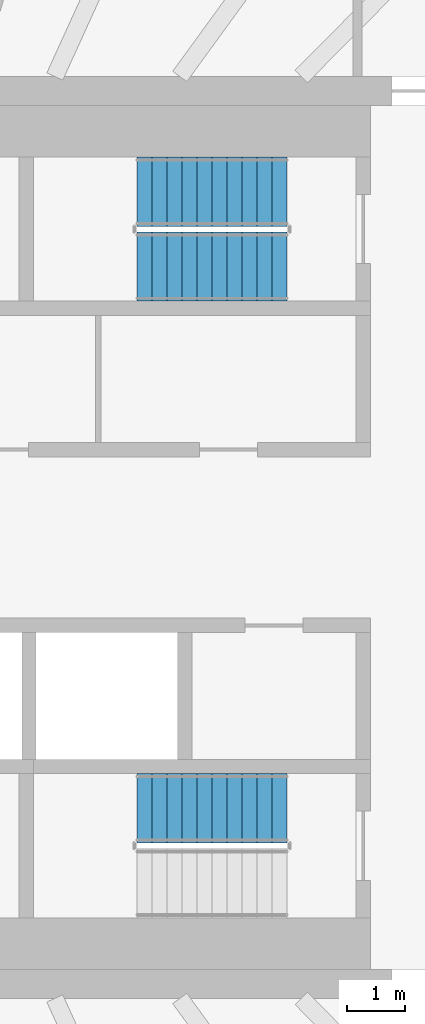
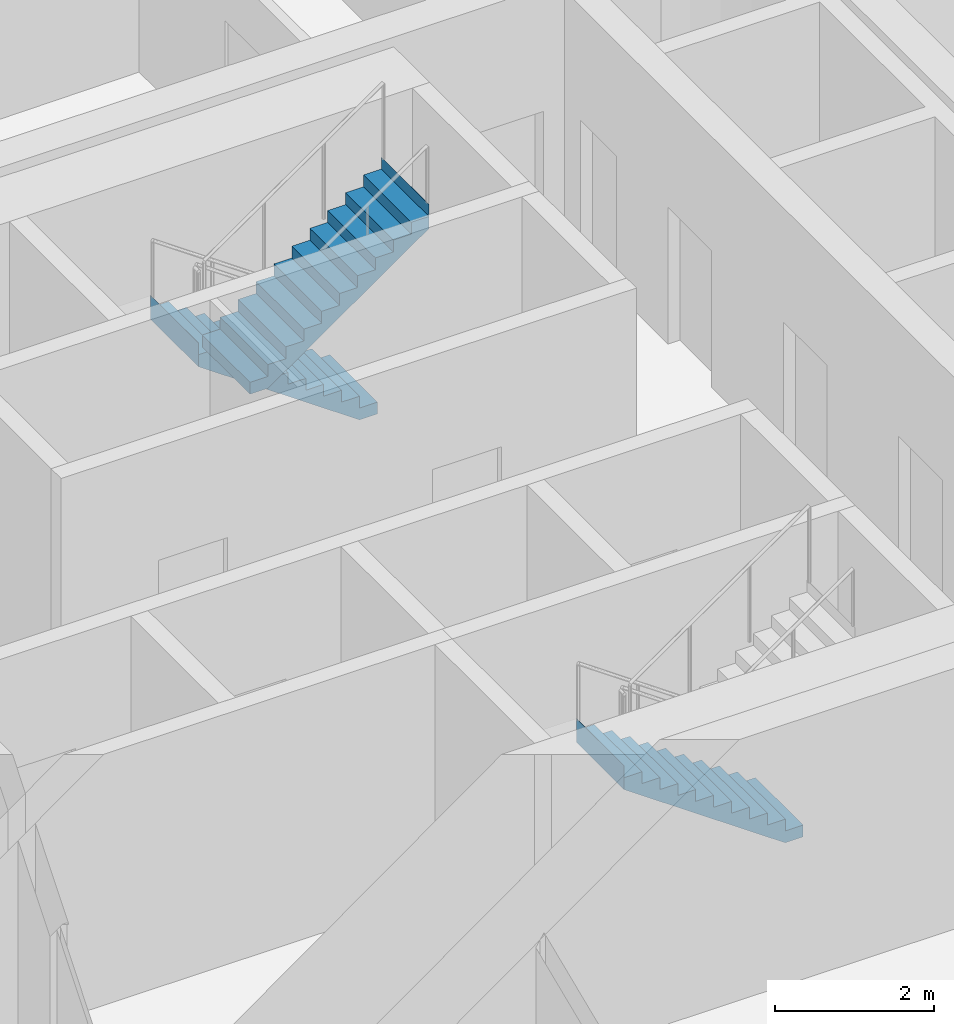
# One storey, part 18 of 25: 3 stair flights, 2 elements without a shape of their own.
"""IFC4 building model written with IfcOpenShell, lengths in metres."""

import ifcopenshell
import ifcopenshell.guid

model = None  # the IFC model being written
_history = None  # IfcOwnerHistory: only IFC2X3 demands one
_inside = {}  # id of a spatial element -> (the spatial element, [elements in it])
_under = {}  # id of a project, library or spatial element -> (it, [spatial elements below it])
_declared = {}  # id of a project -> (the project, [libraries it declares])
_typed = {}  # id of a type object -> (the type object, [elements of that type])
_made_of = {}  # id of a material, layer set ... -> (it, [elements and type objects made of it])


def new_model(schema):
    """Start an empty IFC model of exactly this schema.

    Asked for "IFC4X3", IfcOpenShell would pick the latest addendum, in which some entities
    have other attributes; the version numbers below select the first issue.
    IFC2X3 requires an IfcOwnerHistory on every rooted entity: one is made here for all.
    """
    global model, _history
    if schema == "IFC4X3":
        model = ifcopenshell.file(schema_version=(4, 3, 0, 0))
    else:
        model = ifcopenshell.file(schema=schema)
    _inside.clear()
    _under.clear()
    _declared.clear()
    _typed.clear()
    _made_of.clear()
    _history = None
    if model.schema == "IFC2X3":
        org = make("IfcOrganization", Name="unknown")
        user = make(
            "IfcPersonAndOrganization",
            ThePerson=make("IfcPerson", FamilyName="unknown"),
            TheOrganization=org,
        )
        app = make(
            "IfcApplication",
            ApplicationDeveloper=org,
            Version="unknown",
            ApplicationFullName="unknown",
            ApplicationIdentifier="unknown",
        )
        _history = make(
            "IfcOwnerHistory",
            OwningUser=user,
            OwningApplication=app,
            ChangeAction="ADDED",
            CreationDate=0,
        )
    return model


def make(cls, **values):
    """One entity of the class cls with the attributes given. An attribute that is None is left unset."""
    return model.create_entity(
        cls, **{name: value for name, value in values.items() if value is not None}
    )


def rooted(cls, **values):
    """An entity with a GlobalId (a new one), such as an element, a storey or a relation."""
    return make(cls, GlobalId=ifcopenshell.guid.new(), OwnerHistory=_history, **values)


def si_unit(unit_type, name, prefix=None):
    """IfcSIUnit, for example si_unit("LENGTHUNIT", "METRE", prefix="MILLI")."""
    return make("IfcSIUnit", UnitType=unit_type, Prefix=prefix, Name=name)


def assignment(units):
    """IfcUnitAssignment: the units of a project."""
    return None if units is None else make("IfcUnitAssignment", Units=units)


def point(xyz):
    """IfcCartesianPoint."""
    return None if xyz is None else make("IfcCartesianPoint", Coordinates=xyz)


def direction(xyz):
    """IfcDirection."""
    return None if xyz is None else make("IfcDirection", DirectionRatios=xyz)


def frame(location, z_axis=None, x_axis=None):
    """IfcAxis2Placement3D, a coordinate frame: its origin and axes. An axis left out is left unset."""
    return make(
        "IfcAxis2Placement3D",
        Location=point(location),
        Axis=direction(z_axis),
        RefDirection=direction(x_axis),
    )


def origin():
    """The frame at (0, 0, 0) with its axes left unset."""
    return frame((0.0, 0.0, 0.0))


def place(relative_to, where):
    """IfcLocalPlacement: puts the frame where relative to a parent placement (None: the world)."""
    return make(
        "IfcLocalPlacement", PlacementRelTo=relative_to, RelativePlacement=where
    )


def context(
    kind, dimensions, precision=None, world=None, true_north=None, identifier=None
):
    """IfcGeometricRepresentationContext, for example the 3D "Model" context."""
    return make(
        "IfcGeometricRepresentationContext",
        ContextIdentifier=identifier,
        ContextType=kind,
        CoordinateSpaceDimension=dimensions,
        Precision=precision,
        WorldCoordinateSystem=world,
        TrueNorth=true_north,
    )


def subcontext(parent, identifier, kind, view, scale=None):
    """IfcGeometricRepresentationSubContext, for example "Body" below "Model"."""
    return make(
        "IfcGeometricRepresentationSubContext",
        ContextIdentifier=identifier,
        ContextType=kind,
        ParentContext=parent,
        TargetScale=scale,
        TargetView=view,
    )


def project(units=None, contexts=None):
    """IfcProject with its units and contexts."""
    return rooted(
        "IfcProject",
        Name="project",
        RepresentationContexts=contexts,
        UnitsInContext=assignment(units),
    )


def spatial(cls, under=None, at=None, **own):
    """A site, building, storey or space (cls), placed at a placement, below another one or the project."""
    s = rooted(cls, ObjectPlacement=at, **own)
    if under is not None:
        _under.setdefault(under.id(), (under, []))[1].append(s)
    return s


def point_list(points):
    """IfcCartesianPointList2D or 3D."""
    cls = (
        "IfcCartesianPointList2D" if len(points[0]) == 2 else "IfcCartesianPointList3D"
    )
    return make(cls, CoordList=points)


def triangles(points, corners, closed=None, point_numbers=None):
    """IfcTriangulatedFaceSet: each triangle names its three corners, points numbered from 1."""
    return make(
        "IfcTriangulatedFaceSet",
        Coordinates=point_list(points),
        Closed=closed,
        CoordIndex=corners,
        PnIndex=point_numbers,
    )


def shape(context_of_items, identifier, shape_type, items):
    """IfcShapeRepresentation: the items that make up one representation, for example the "Body"."""
    return make(
        "IfcShapeRepresentation",
        ContextOfItems=context_of_items,
        RepresentationIdentifier=identifier,
        RepresentationType=shape_type,
        Items=items,
    )


def material(Name=None, Category=None):
    """IfcMaterial."""
    return make("IfcMaterial", Name=Name, Category=Category)


def made_of(thing, what):
    """Note that an element or type object is made of a material, layer set ...; save() writes the relation."""
    if what is not None:
        _made_of.setdefault(what.id(), (what, []))[1].append(thing)
    return thing


def type_object(cls, material=None, **own):
    """A type object (cls), such as IfcWallType, which elements share."""
    return made_of(rooted(cls, **own), material)


def element(
    cls,
    number,
    at=None,
    inside=None,
    cuts=None,
    type_object=None,
    material=None,
    context=None,
    identifier="Body",
    shape_type=None,
    held_by="IfcProductDefinitionShape",
    body=None,
    shapes=None,
    **own,
):
    """One element of the class cls, such as IfcWall. Its Tag is "e" and its number.

    at: its placement. inside: the storey or other place that contains it. cuts: it is an
    opening in that element (IfcRelVoidsElement). A single representation is given by context,
    identifier, shape_type and body (its items); several are given by shapes. held_by: the class
    of the entity that holds the representations. save() writes the other relations.
    """
    e = rooted(cls, Tag="e%d" % number, ObjectPlacement=at, **own)
    if body is not None:
        shapes = [shape(context, identifier, shape_type, body)]
    if shapes is not None:
        e.Representation = make(held_by, Representations=shapes)
    if inside is not None:
        _inside.setdefault(inside.id(), (inside, []))[1].append(e)
    if cuts is not None:
        rooted(
            "IfcRelVoidsElement", RelatingBuildingElement=cuts, RelatedOpeningElement=e
        )
    if type_object is not None:
        _typed.setdefault(type_object.id(), (type_object, []))[1].append(e)
    return made_of(e, material)


def aggregate(whole, parts):
    """IfcRelAggregates: a whole, such as a stair, and the parts it consists of."""
    return rooted("IfcRelAggregates", RelatingObject=whole, RelatedObjects=parts)


def save(model, path):
    """Write the relations noted so far, then the file.

    IfcRelAggregates (storeys below a building ...), IfcRelContainedInSpatialStructure (elements
    in a storey), IfcRelDefinesByType, IfcRelAssociatesMaterial and IfcRelDeclares: one each for
    every whole, place, type object, material and project.
    """
    for whole, parts in _under.values():
        aggregate(whole, parts)
    for where, things in _inside.values():
        rooted(
            "IfcRelContainedInSpatialStructure",
            RelatedElements=things,
            RelatingStructure=where,
        )
    for kind, things in _typed.values():
        rooted("IfcRelDefinesByType", RelatedObjects=things, RelatingType=kind)
    for what, things in _made_of.values():
        rooted("IfcRelAssociatesMaterial", RelatedObjects=things, RelatingMaterial=what)
    for by, libraries in _declared.values():
        rooted("IfcRelDeclares", RelatingContext=by, RelatedDefinitions=libraries)
    model.write(path)


model = new_model("IFC4")

# Units and contexts
model_context = context("Model", 3, precision=1e-05, world=origin(), true_north=direction((0.0, 1.0)))
body_context = subcontext(model_context, "Body", "Model", "MODEL_VIEW")
ifc_project = project(units=[si_unit("LENGTHUNIT", "METRE"), si_unit("AREAUNIT", "SQUARE_METRE"), si_unit("VOLUMEUNIT", "CUBIC_METRE"), si_unit("PLANEANGLEUNIT", "RADIAN"), si_unit("MASSUNIT", "GRAM", prefix="KILO")], contexts=[model_context])

# Site, building, storey
site_placement = place(None, origin())
site = spatial("IfcSite", under=ifc_project, at=site_placement, CompositionType="ELEMENT")
building_placement = place(site_placement, origin())
building = spatial("IfcBuilding", under=site, at=building_placement, Name="Sahrelin Media Tower", CompositionType="ELEMENT")
storey_placement = place(building_placement, frame((0.0, 0.0, 181.60009765625)))
storey = spatial("IfcBuildingStorey", under=building, at=storey_placement, Name="L38", CompositionType="ELEMENT", Elevation=181.60009765625)

# Stair, stair flights
ifc_material = material(Name="Concrete C40/50", Category="concrete")
stair_type = type_object("IfcStairType", Name="Exit stair 1200", PredefinedType="HALF_TURN_STAIR", material=ifc_material)
placement = place(storey_placement, origin())
stair_1 = element("IfcStair", 1, at=placement, inside=storey, type_object=stair_type, Name="L38 Exit stair ST3", PredefinedType="HALF_TURN_STAIR")
stair_flight_type = type_object("IfcStairFlightType", Name="Stair flight 1200", PredefinedType="STRAIGHT", material=ifc_material)
stair_flight_1_placement = place(storey_placement, frame((7.675048828125, 6.0, 0.0), z_axis=(0.0, 0.0, 1.0), x_axis=(-1.0, 0.0, 0.0)))
stair_flight_1 = element("IfcStairFlight", 2, at=stair_flight_1_placement, type_object=stair_flight_type, Name="ST3 flight 1", NumberOfRisers=11, NumberOfTreads=10, PredefinedType="STRAIGHT", RiserHeight=0.181818182, TreadLength=0.26, context=body_context, shape_type="Tessellation", body=[
    triangles([(0.261474609375, 0.60009765625, 0.0), (0.261474609375, 0.300048828125, 0.0), (0.261474609375, 0.0, 0.0), (0.261474609375, -0.300048828125, 0.0), (0.261474609375, -0.60009765625, 0.0), (2.60009765625, 0.60009765625, 1.63525390625), (2.60009765625, 0.300048828125, 1.63525390625), (2.60009765625, 0.0, 1.63525390625), (2.60009765625, -0.300048828125, 1.63525390625), (2.60009765625, -0.60009765625, 1.63525390625), (2.60009765625, 0.60009765625, 2.0), (2.60009765625, 0.300048828125, 2.0), (2.60009765625, 0.0, 2.0), (2.60009765625, -0.300048828125, 2.0), (2.60009765625, -0.60009765625, 2.0), (2.597900390625, 0.60009765625, 2.0), (2.597900390625, 0.300048828125, 2.0), (2.597900390625, 0.0, 2.0), (2.597900390625, -0.300048828125, 2.0), (2.597900390625, -0.60009765625, 2.0), (2.597900390625, 0.60009765625, 1.818115234375), (2.597900390625, 0.300048828125, 1.818115234375), (2.597900390625, 0.0, 1.818115234375), (2.597900390625, -0.300048828125, 1.818115234375), (2.597900390625, -0.60009765625, 1.818115234375), (2.340087890625, 0.60009765625, 1.818115234375), (2.340087890625, 0.300048828125, 1.818115234375), (2.340087890625, 0.0, 1.818115234375), (2.340087890625, -0.300048828125, 1.818115234375), (2.340087890625, -0.60009765625, 1.818115234375), (2.340087890625, 0.60009765625, 1.636474609375), (2.340087890625, 0.300048828125, 1.636474609375), (2.340087890625, 0.0, 1.636474609375), (2.340087890625, -0.300048828125, 1.636474609375), (2.340087890625, -0.60009765625, 1.636474609375), (2.080078125, 0.60009765625, 1.636474609375), (2.080078125, 0.300048828125, 1.636474609375), (2.080078125, 0.0, 1.636474609375), (2.080078125, -0.300048828125, 1.636474609375), (2.080078125, -0.60009765625, 1.636474609375), (2.080078125, 0.60009765625, 1.45458984375), (2.080078125, 0.300048828125, 1.45458984375), (2.080078125, 0.0, 1.45458984375), (2.080078125, -0.300048828125, 1.45458984375), (2.080078125, -0.60009765625, 1.45458984375), (1.820068359375, 0.60009765625, 1.45458984375), (1.820068359375, 0.300048828125, 1.45458984375), (1.820068359375, 0.0, 1.45458984375), (1.820068359375, -0.300048828125, 1.45458984375), (1.820068359375, -0.60009765625, 1.45458984375), (1.820068359375, 0.60009765625, 1.272705078125), (1.820068359375, 0.300048828125, 1.272705078125), (1.820068359375, 0.0, 1.272705078125), (1.820068359375, -0.300048828125, 1.272705078125), (1.820068359375, -0.60009765625, 1.272705078125), (1.56005859375, 0.60009765625, 1.272705078125), (1.56005859375, 0.300048828125, 1.272705078125), (1.56005859375, 0.0, 1.272705078125), (1.56005859375, -0.300048828125, 1.272705078125), (1.56005859375, -0.60009765625, 1.272705078125), (1.56005859375, 0.60009765625, 1.0908203125), (1.56005859375, 0.300048828125, 1.0908203125), (1.56005859375, 0.0, 1.0908203125), (1.56005859375, -0.300048828125, 1.0908203125), (1.56005859375, -0.60009765625, 1.0908203125), (1.300048828125, 0.60009765625, 1.0908203125), (1.300048828125, 0.300048828125, 1.0908203125), (1.300048828125, 0.0, 1.0908203125), (1.300048828125, -0.300048828125, 1.0908203125), (1.300048828125, -0.60009765625, 1.0908203125), (1.300048828125, 0.60009765625, 0.9091796875), (1.300048828125, 0.300048828125, 0.9091796875), (1.300048828125, 0.0, 0.9091796875), (1.300048828125, -0.300048828125, 0.9091796875), (1.300048828125, -0.60009765625, 0.9091796875), (1.0400390625, 0.60009765625, 0.9091796875), (1.0400390625, 0.300048828125, 0.9091796875), (1.0400390625, 0.0, 0.9091796875), (1.0400390625, -0.300048828125, 0.9091796875), (1.0400390625, -0.60009765625, 0.9091796875), (1.0400390625, 0.60009765625, 0.727294921875), (1.0400390625, 0.300048828125, 0.727294921875), (1.0400390625, 0.0, 0.727294921875), (1.0400390625, -0.300048828125, 0.727294921875), (1.0400390625, -0.60009765625, 0.727294921875), (0.780029296875, 0.60009765625, 0.727294921875), (0.780029296875, 0.300048828125, 0.727294921875), (0.780029296875, 0.0, 0.727294921875), (0.780029296875, -0.300048828125, 0.727294921875), (0.780029296875, -0.60009765625, 0.727294921875), (0.780029296875, 0.60009765625, 0.54541015625), (0.780029296875, 0.300048828125, 0.54541015625), (0.780029296875, 0.0, 0.54541015625), (0.780029296875, -0.300048828125, 0.54541015625), (0.780029296875, -0.60009765625, 0.54541015625), (0.52001953125, 0.60009765625, 0.54541015625), (0.52001953125, 0.300048828125, 0.54541015625), (0.52001953125, 0.0, 0.54541015625), (0.52001953125, -0.300048828125, 0.54541015625), (0.52001953125, -0.60009765625, 0.54541015625), (0.52001953125, 0.60009765625, 0.363525390625), (0.52001953125, 0.300048828125, 0.363525390625), (0.52001953125, 0.0, 0.363525390625), (0.52001953125, -0.300048828125, 0.363525390625), (0.52001953125, -0.60009765625, 0.363525390625), (0.260009765625, 0.60009765625, 0.363525390625), (0.260009765625, 0.300048828125, 0.363525390625), (0.260009765625, 0.0, 0.363525390625), (0.260009765625, -0.300048828125, 0.363525390625), (0.260009765625, -0.60009765625, 0.363525390625), (0.260009765625, 0.60009765625, 0.181884765625), (0.260009765625, 0.300048828125, 0.181884765625), (0.260009765625, 0.0, 0.181884765625), (0.260009765625, -0.300048828125, 0.181884765625), (0.260009765625, -0.60009765625, 0.181884765625), (0.0, 0.60009765625, 0.181884765625), (0.0, 0.300048828125, 0.181884765625), (0.0, 0.0, 0.181884765625), (0.0, -0.300048828125, 0.181884765625), (0.0, -0.60009765625, 0.181884765625), (0.0, 0.60009765625, 0.0), (0.0, 0.300048828125, 0.0), (0.0, 0.0, 0.0), (0.0, -0.300048828125, 0.0), (0.0, -0.60009765625, 0.0)], [[1, 6, 7], [1, 7, 2], [2, 7, 8], [2, 8, 3], [3, 8, 9], [3, 9, 4], [4, 9, 10], [4, 10, 5], [6, 11, 12], [6, 12, 7], [7, 12, 13], [7, 13, 8], [8, 13, 14], [8, 14, 9], [9, 14, 15], [9, 15, 10], [11, 16, 17], [11, 17, 12], [12, 17, 18], [12, 18, 13], [13, 18, 19], [13, 19, 14], [14, 19, 20], [14, 20, 15], [16, 21, 22], [16, 22, 17], [17, 22, 23], [17, 23, 18], [18, 23, 24], [18, 24, 19], [19, 24, 25], [19, 25, 20], [21, 26, 27], [21, 27, 22], [22, 27, 28], [22, 28, 23], [23, 28, 29], [23, 29, 24], [24, 29, 30], [24, 30, 25], [26, 31, 32], [26, 32, 27], [27, 32, 33], [27, 33, 28], [28, 33, 34], [28, 34, 29], [29, 34, 35], [29, 35, 30], [31, 36, 37], [31, 37, 32], [32, 37, 38], [32, 38, 33], [33, 38, 39], [33, 39, 34], [34, 39, 40], [34, 40, 35], [36, 41, 42], [36, 42, 37], [37, 42, 43], [37, 43, 38], [38, 43, 44], [38, 44, 39], [39, 44, 45], [39, 45, 40], [41, 46, 47], [41, 47, 42], [42, 47, 48], [42, 48, 43], [43, 48, 49], [43, 49, 44], [44, 49, 50], [44, 50, 45], [46, 51, 52], [46, 52, 47], [47, 52, 53], [47, 53, 48], [48, 53, 54], [48, 54, 49], [49, 54, 55], [49, 55, 50], [51, 56, 57], [51, 57, 52], [52, 57, 58], [52, 58, 53], [53, 58, 59], [53, 59, 54], [54, 59, 60], [54, 60, 55], [56, 61, 62], [56, 62, 57], [57, 62, 63], [57, 63, 58], [58, 63, 64], [58, 64, 59], [59, 64, 65], [59, 65, 60], [61, 66, 67], [61, 67, 62], [62, 67, 68], [62, 68, 63], [63, 68, 69], [63, 69, 64], [64, 69, 70], [64, 70, 65], [66, 71, 72], [66, 72, 67], [67, 72, 73], [67, 73, 68], [68, 73, 74], [68, 74, 69], [69, 74, 75], [69, 75, 70], [71, 76, 77], [71, 77, 72], [72, 77, 78], [72, 78, 73], [73, 78, 79], [73, 79, 74], [74, 79, 80], [74, 80, 75], [76, 81, 82], [76, 82, 77], [77, 82, 83], [77, 83, 78], [78, 83, 84], [78, 84, 79], [79, 84, 85], [79, 85, 80], [81, 86, 87], [81, 87, 82], [82, 87, 88], [82, 88, 83], [83, 88, 89], [83, 89, 84], [84, 89, 90], [84, 90, 85], [86, 91, 92], [86, 92, 87], [87, 92, 93], [87, 93, 88], [88, 93, 94], [88, 94, 89], [89, 94, 95], [89, 95, 90], [91, 96, 97], [91, 97, 92], [92, 97, 98], [92, 98, 93], [93, 98, 99], [93, 99, 94], [94, 99, 100], [94, 100, 95], [96, 101, 102], [96, 102, 97], [97, 102, 103], [97, 103, 98], [98, 103, 104], [98, 104, 99], [99, 104, 105], [99, 105, 100], [101, 106, 107], [101, 107, 102], [102, 107, 108], [102, 108, 103], [103, 108, 109], [103, 109, 104], [104, 109, 110], [104, 110, 105], [106, 111, 112], [106, 112, 107], [107, 112, 113], [107, 113, 108], [108, 113, 114], [108, 114, 109], [109, 114, 115], [109, 115, 110], [111, 116, 117], [111, 117, 112], [112, 117, 118], [112, 118, 113], [113, 118, 119], [113, 119, 114], [114, 119, 120], [114, 120, 115], [116, 121, 122], [116, 122, 117], [117, 122, 123], [117, 123, 118], [118, 123, 124], [118, 124, 119], [119, 124, 125], [119, 125, 120], [121, 1, 2], [121, 2, 122], [122, 2, 3], [122, 3, 123], [123, 3, 4], [123, 4, 124], [124, 4, 5], [124, 5, 125], [115, 120, 125], [111, 121, 116], [115, 105, 110], [111, 106, 101], [105, 95, 100], [101, 96, 91], [95, 85, 90], [91, 86, 81], [85, 75, 80], [81, 76, 71], [75, 65, 70], [71, 66, 61], [65, 55, 60], [61, 56, 51], [55, 45, 50], [51, 46, 41], [45, 35, 40], [41, 36, 31], [35, 25, 30], [31, 26, 21], [25, 15, 20], [21, 16, 11], [125, 5, 115], [121, 111, 1], [25, 10, 15], [21, 11, 6], [105, 115, 5], [101, 1, 111], [35, 10, 25], [31, 21, 6], [95, 105, 5], [91, 1, 101], [45, 10, 35], [41, 31, 6], [85, 95, 5], [81, 1, 91], [55, 10, 45], [51, 41, 6], [75, 85, 5], [71, 1, 81], [65, 10, 55], [61, 51, 6], [5, 10, 75], [1, 71, 6], [75, 10, 65], [71, 61, 6]], closed=True),
])
stair_flight_2_placement = place(storey_placement, frame((5.074951171875, 4.699951171875, 2.0), z_axis=(0.0, 0.0, 1.0), x_axis=(1.0, 0.0, 0.0)))
stair_flight_2 = element("IfcStairFlight", 3, at=stair_flight_2_placement, type_object=stair_flight_type, Name="ST3 flight 2", NumberOfRisers=11, NumberOfTreads=10, PredefinedType="STRAIGHT", RiserHeight=0.181818182, TreadLength=0.26, context=body_context, shape_type="Tessellation", body=[
    triangles([(0.261474609375, 0.60009765625, 0.0), (0.261474609375, 0.300048828125, 0.0), (0.261474609375, 0.0, 0.0), (0.261474609375, -0.300048828125, 0.0), (0.261474609375, -0.60009765625, 0.0), (2.60009765625, 0.60009765625, 1.63525390625), (2.60009765625, 0.300048828125, 1.63525390625), (2.60009765625, 0.0, 1.63525390625), (2.60009765625, -0.300048828125, 1.63525390625), (2.60009765625, -0.60009765625, 1.63525390625), (2.60009765625, 0.60009765625, 2.0), (2.60009765625, 0.300048828125, 2.0), (2.60009765625, 0.0, 2.0), (2.60009765625, -0.300048828125, 2.0), (2.60009765625, -0.60009765625, 2.0), (2.597900390625, 0.60009765625, 2.0), (2.597900390625, 0.300048828125, 2.0), (2.597900390625, 0.0, 2.0), (2.597900390625, -0.300048828125, 2.0), (2.597900390625, -0.60009765625, 2.0), (2.597900390625, 0.60009765625, 1.818115234375), (2.597900390625, 0.300048828125, 1.818115234375), (2.597900390625, 0.0, 1.818115234375), (2.597900390625, -0.300048828125, 1.818115234375), (2.597900390625, -0.60009765625, 1.818115234375), (2.340087890625, 0.60009765625, 1.818115234375), (2.340087890625, 0.300048828125, 1.818115234375), (2.340087890625, 0.0, 1.818115234375), (2.340087890625, -0.300048828125, 1.818115234375), (2.340087890625, -0.60009765625, 1.818115234375), (2.340087890625, 0.60009765625, 1.636474609375), (2.340087890625, 0.300048828125, 1.636474609375), (2.340087890625, 0.0, 1.636474609375), (2.340087890625, -0.300048828125, 1.636474609375), (2.340087890625, -0.60009765625, 1.636474609375), (2.080078125, 0.60009765625, 1.636474609375), (2.080078125, 0.300048828125, 1.636474609375), (2.080078125, 0.0, 1.636474609375), (2.080078125, -0.300048828125, 1.636474609375), (2.080078125, -0.60009765625, 1.636474609375), (2.080078125, 0.60009765625, 1.45458984375), (2.080078125, 0.300048828125, 1.45458984375), (2.080078125, 0.0, 1.45458984375), (2.080078125, -0.300048828125, 1.45458984375), (2.080078125, -0.60009765625, 1.45458984375), (1.820068359375, 0.60009765625, 1.45458984375), (1.820068359375, 0.300048828125, 1.45458984375), (1.820068359375, 0.0, 1.45458984375), (1.820068359375, -0.300048828125, 1.45458984375), (1.820068359375, -0.60009765625, 1.45458984375), (1.820068359375, 0.60009765625, 1.272705078125), (1.820068359375, 0.300048828125, 1.272705078125), (1.820068359375, 0.0, 1.272705078125), (1.820068359375, -0.300048828125, 1.272705078125), (1.820068359375, -0.60009765625, 1.272705078125), (1.56005859375, 0.60009765625, 1.272705078125), (1.56005859375, 0.300048828125, 1.272705078125), (1.56005859375, 0.0, 1.272705078125), (1.56005859375, -0.300048828125, 1.272705078125), (1.56005859375, -0.60009765625, 1.272705078125), (1.56005859375, 0.60009765625, 1.0908203125), (1.56005859375, 0.300048828125, 1.0908203125), (1.56005859375, 0.0, 1.0908203125), (1.56005859375, -0.300048828125, 1.0908203125), (1.56005859375, -0.60009765625, 1.0908203125), (1.300048828125, 0.60009765625, 1.0908203125), (1.300048828125, 0.300048828125, 1.0908203125), (1.300048828125, 0.0, 1.0908203125), (1.300048828125, -0.300048828125, 1.0908203125), (1.300048828125, -0.60009765625, 1.0908203125), (1.300048828125, 0.60009765625, 0.9091796875), (1.300048828125, 0.300048828125, 0.9091796875), (1.300048828125, 0.0, 0.9091796875), (1.300048828125, -0.300048828125, 0.9091796875), (1.300048828125, -0.60009765625, 0.9091796875), (1.0400390625, 0.60009765625, 0.9091796875), (1.0400390625, 0.300048828125, 0.9091796875), (1.0400390625, 0.0, 0.9091796875), (1.0400390625, -0.300048828125, 0.9091796875), (1.0400390625, -0.60009765625, 0.9091796875), (1.0400390625, 0.60009765625, 0.727294921875), (1.0400390625, 0.300048828125, 0.727294921875), (1.0400390625, 0.0, 0.727294921875), (1.0400390625, -0.300048828125, 0.727294921875), (1.0400390625, -0.60009765625, 0.727294921875), (0.780029296875, 0.60009765625, 0.727294921875), (0.780029296875, 0.300048828125, 0.727294921875), (0.780029296875, 0.0, 0.727294921875), (0.780029296875, -0.300048828125, 0.727294921875), (0.780029296875, -0.60009765625, 0.727294921875), (0.780029296875, 0.60009765625, 0.54541015625), (0.780029296875, 0.300048828125, 0.54541015625), (0.780029296875, 0.0, 0.54541015625), (0.780029296875, -0.300048828125, 0.54541015625), (0.780029296875, -0.60009765625, 0.54541015625), (0.52001953125, 0.60009765625, 0.54541015625), (0.52001953125, 0.300048828125, 0.54541015625), (0.52001953125, 0.0, 0.54541015625), (0.52001953125, -0.300048828125, 0.54541015625), (0.52001953125, -0.60009765625, 0.54541015625), (0.52001953125, 0.60009765625, 0.363525390625), (0.52001953125, 0.300048828125, 0.363525390625), (0.52001953125, 0.0, 0.363525390625), (0.52001953125, -0.300048828125, 0.363525390625), (0.52001953125, -0.60009765625, 0.363525390625), (0.260009765625, 0.60009765625, 0.363525390625), (0.260009765625, 0.300048828125, 0.363525390625), (0.260009765625, 0.0, 0.363525390625), (0.260009765625, -0.300048828125, 0.363525390625), (0.260009765625, -0.60009765625, 0.363525390625), (0.260009765625, 0.60009765625, 0.181884765625), (0.260009765625, 0.300048828125, 0.181884765625), (0.260009765625, 0.0, 0.181884765625), (0.260009765625, -0.300048828125, 0.181884765625), (0.260009765625, -0.60009765625, 0.181884765625), (0.0, 0.60009765625, 0.181884765625), (0.0, 0.300048828125, 0.181884765625), (0.0, 0.0, 0.181884765625), (0.0, -0.300048828125, 0.181884765625), (0.0, -0.60009765625, 0.181884765625), (0.0, 0.60009765625, 0.0), (0.0, 0.300048828125, 0.0), (0.0, 0.0, 0.0), (0.0, -0.300048828125, 0.0), (0.0, -0.60009765625, 0.0)], [[1, 6, 7], [1, 7, 2], [2, 7, 8], [2, 8, 3], [3, 8, 9], [3, 9, 4], [4, 9, 10], [4, 10, 5], [6, 11, 12], [6, 12, 7], [7, 12, 13], [7, 13, 8], [8, 13, 14], [8, 14, 9], [9, 14, 15], [9, 15, 10], [11, 16, 17], [11, 17, 12], [12, 17, 18], [12, 18, 13], [13, 18, 19], [13, 19, 14], [14, 19, 20], [14, 20, 15], [16, 21, 22], [16, 22, 17], [17, 22, 23], [17, 23, 18], [18, 23, 24], [18, 24, 19], [19, 24, 25], [19, 25, 20], [21, 26, 27], [21, 27, 22], [22, 27, 28], [22, 28, 23], [23, 28, 29], [23, 29, 24], [24, 29, 30], [24, 30, 25], [26, 31, 32], [26, 32, 27], [27, 32, 33], [27, 33, 28], [28, 33, 34], [28, 34, 29], [29, 34, 35], [29, 35, 30], [31, 36, 37], [31, 37, 32], [32, 37, 38], [32, 38, 33], [33, 38, 39], [33, 39, 34], [34, 39, 40], [34, 40, 35], [36, 41, 42], [36, 42, 37], [37, 42, 43], [37, 43, 38], [38, 43, 44], [38, 44, 39], [39, 44, 45], [39, 45, 40], [41, 46, 47], [41, 47, 42], [42, 47, 48], [42, 48, 43], [43, 48, 49], [43, 49, 44], [44, 49, 50], [44, 50, 45], [46, 51, 52], [46, 52, 47], [47, 52, 53], [47, 53, 48], [48, 53, 54], [48, 54, 49], [49, 54, 55], [49, 55, 50], [51, 56, 57], [51, 57, 52], [52, 57, 58], [52, 58, 53], [53, 58, 59], [53, 59, 54], [54, 59, 60], [54, 60, 55], [56, 61, 62], [56, 62, 57], [57, 62, 63], [57, 63, 58], [58, 63, 64], [58, 64, 59], [59, 64, 65], [59, 65, 60], [61, 66, 67], [61, 67, 62], [62, 67, 68], [62, 68, 63], [63, 68, 69], [63, 69, 64], [64, 69, 70], [64, 70, 65], [66, 71, 72], [66, 72, 67], [67, 72, 73], [67, 73, 68], [68, 73, 74], [68, 74, 69], [69, 74, 75], [69, 75, 70], [71, 76, 77], [71, 77, 72], [72, 77, 78], [72, 78, 73], [73, 78, 79], [73, 79, 74], [74, 79, 80], [74, 80, 75], [76, 81, 82], [76, 82, 77], [77, 82, 83], [77, 83, 78], [78, 83, 84], [78, 84, 79], [79, 84, 85], [79, 85, 80], [81, 86, 87], [81, 87, 82], [82, 87, 88], [82, 88, 83], [83, 88, 89], [83, 89, 84], [84, 89, 90], [84, 90, 85], [86, 91, 92], [86, 92, 87], [87, 92, 93], [87, 93, 88], [88, 93, 94], [88, 94, 89], [89, 94, 95], [89, 95, 90], [91, 96, 97], [91, 97, 92], [92, 97, 98], [92, 98, 93], [93, 98, 99], [93, 99, 94], [94, 99, 100], [94, 100, 95], [96, 101, 102], [96, 102, 97], [97, 102, 103], [97, 103, 98], [98, 103, 104], [98, 104, 99], [99, 104, 105], [99, 105, 100], [101, 106, 107], [101, 107, 102], [102, 107, 108], [102, 108, 103], [103, 108, 109], [103, 109, 104], [104, 109, 110], [104, 110, 105], [106, 111, 112], [106, 112, 107], [107, 112, 113], [107, 113, 108], [108, 113, 114], [108, 114, 109], [109, 114, 115], [109, 115, 110], [111, 116, 117], [111, 117, 112], [112, 117, 118], [112, 118, 113], [113, 118, 119], [113, 119, 114], [114, 119, 120], [114, 120, 115], [116, 121, 122], [116, 122, 117], [117, 122, 123], [117, 123, 118], [118, 123, 124], [118, 124, 119], [119, 124, 125], [119, 125, 120], [121, 1, 2], [121, 2, 122], [122, 2, 3], [122, 3, 123], [123, 3, 4], [123, 4, 124], [124, 4, 5], [124, 5, 125], [115, 120, 125], [111, 121, 116], [115, 105, 110], [111, 106, 101], [105, 95, 100], [101, 96, 91], [95, 85, 90], [91, 86, 81], [85, 75, 80], [81, 76, 71], [75, 65, 70], [71, 66, 61], [65, 55, 60], [61, 56, 51], [55, 45, 50], [51, 46, 41], [45, 35, 40], [41, 36, 31], [35, 25, 30], [31, 26, 21], [25, 15, 20], [21, 16, 11], [125, 5, 115], [121, 111, 1], [25, 10, 15], [21, 11, 6], [105, 115, 5], [101, 1, 111], [35, 10, 25], [31, 21, 6], [95, 105, 5], [91, 1, 101], [45, 10, 35], [41, 31, 6], [85, 95, 5], [81, 1, 91], [55, 10, 45], [51, 41, 6], [75, 85, 5], [71, 1, 81], [65, 10, 55], [61, 51, 6], [5, 10, 75], [1, 71, 6], [75, 10, 65], [71, 61, 6]], closed=True),
])
aggregate(stair_1, [stair_flight_1, stair_flight_2])

# Stair, stair flight
stair_2 = element("IfcStair", 4, at=placement, inside=storey, type_object=stair_type, Name="L38 Exit stair ST2", PredefinedType="HALF_TURN_STAIR")
stair_flight_3_placement = place(storey_placement, frame((7.675048828125, -4.699951171875, 0.0), z_axis=(0.0, 0.0, 1.0), x_axis=(-1.0, 0.0, 0.0)))
stair_flight_3 = element("IfcStairFlight", 5, at=stair_flight_3_placement, type_object=stair_flight_type, Name="ST2 flight 1", NumberOfRisers=11, NumberOfTreads=10, PredefinedType="STRAIGHT", RiserHeight=0.181818182, TreadLength=0.26, context=body_context, shape_type="Tessellation", body=[
    triangles([(0.261474609375, 0.60009765625, 0.0), (0.261474609375, 0.300048828125, 0.0), (0.261474609375, 0.0, 0.0), (0.261474609375, -0.300048828125, 0.0), (0.261474609375, -0.60009765625, 0.0), (2.60009765625, 0.60009765625, 1.63525390625), (2.60009765625, 0.300048828125, 1.63525390625), (2.60009765625, 0.0, 1.63525390625), (2.60009765625, -0.300048828125, 1.63525390625), (2.60009765625, -0.60009765625, 1.63525390625), (2.60009765625, 0.60009765625, 2.0), (2.60009765625, 0.300048828125, 2.0), (2.60009765625, 0.0, 2.0), (2.60009765625, -0.300048828125, 2.0), (2.60009765625, -0.60009765625, 2.0), (2.597900390625, 0.60009765625, 2.0), (2.597900390625, 0.300048828125, 2.0), (2.597900390625, 0.0, 2.0), (2.597900390625, -0.300048828125, 2.0), (2.597900390625, -0.60009765625, 2.0), (2.597900390625, 0.60009765625, 1.818115234375), (2.597900390625, 0.300048828125, 1.818115234375), (2.597900390625, 0.0, 1.818115234375), (2.597900390625, -0.300048828125, 1.818115234375), (2.597900390625, -0.60009765625, 1.818115234375), (2.340087890625, 0.60009765625, 1.818115234375), (2.340087890625, 0.300048828125, 1.818115234375), (2.340087890625, 0.0, 1.818115234375), (2.340087890625, -0.300048828125, 1.818115234375), (2.340087890625, -0.60009765625, 1.818115234375), (2.340087890625, 0.60009765625, 1.636474609375), (2.340087890625, 0.300048828125, 1.636474609375), (2.340087890625, 0.0, 1.636474609375), (2.340087890625, -0.300048828125, 1.636474609375), (2.340087890625, -0.60009765625, 1.636474609375), (2.080078125, 0.60009765625, 1.636474609375), (2.080078125, 0.300048828125, 1.636474609375), (2.080078125, 0.0, 1.636474609375), (2.080078125, -0.300048828125, 1.636474609375), (2.080078125, -0.60009765625, 1.636474609375), (2.080078125, 0.60009765625, 1.45458984375), (2.080078125, 0.300048828125, 1.45458984375), (2.080078125, 0.0, 1.45458984375), (2.080078125, -0.300048828125, 1.45458984375), (2.080078125, -0.60009765625, 1.45458984375), (1.820068359375, 0.60009765625, 1.45458984375), (1.820068359375, 0.300048828125, 1.45458984375), (1.820068359375, 0.0, 1.45458984375), (1.820068359375, -0.300048828125, 1.45458984375), (1.820068359375, -0.60009765625, 1.45458984375), (1.820068359375, 0.60009765625, 1.272705078125), (1.820068359375, 0.300048828125, 1.272705078125), (1.820068359375, 0.0, 1.272705078125), (1.820068359375, -0.300048828125, 1.272705078125), (1.820068359375, -0.60009765625, 1.272705078125), (1.56005859375, 0.60009765625, 1.272705078125), (1.56005859375, 0.300048828125, 1.272705078125), (1.56005859375, 0.0, 1.272705078125), (1.56005859375, -0.300048828125, 1.272705078125), (1.56005859375, -0.60009765625, 1.272705078125), (1.56005859375, 0.60009765625, 1.0908203125), (1.56005859375, 0.300048828125, 1.0908203125), (1.56005859375, 0.0, 1.0908203125), (1.56005859375, -0.300048828125, 1.0908203125), (1.56005859375, -0.60009765625, 1.0908203125), (1.300048828125, 0.60009765625, 1.0908203125), (1.300048828125, 0.300048828125, 1.0908203125), (1.300048828125, 0.0, 1.0908203125), (1.300048828125, -0.300048828125, 1.0908203125), (1.300048828125, -0.60009765625, 1.0908203125), (1.300048828125, 0.60009765625, 0.9091796875), (1.300048828125, 0.300048828125, 0.9091796875), (1.300048828125, 0.0, 0.9091796875), (1.300048828125, -0.300048828125, 0.9091796875), (1.300048828125, -0.60009765625, 0.9091796875), (1.0400390625, 0.60009765625, 0.9091796875), (1.0400390625, 0.300048828125, 0.9091796875), (1.0400390625, 0.0, 0.9091796875), (1.0400390625, -0.300048828125, 0.9091796875), (1.0400390625, -0.60009765625, 0.9091796875), (1.0400390625, 0.60009765625, 0.727294921875), (1.0400390625, 0.300048828125, 0.727294921875), (1.0400390625, 0.0, 0.727294921875), (1.0400390625, -0.300048828125, 0.727294921875), (1.0400390625, -0.60009765625, 0.727294921875), (0.780029296875, 0.60009765625, 0.727294921875), (0.780029296875, 0.300048828125, 0.727294921875), (0.780029296875, 0.0, 0.727294921875), (0.780029296875, -0.300048828125, 0.727294921875), (0.780029296875, -0.60009765625, 0.727294921875), (0.780029296875, 0.60009765625, 0.54541015625), (0.780029296875, 0.300048828125, 0.54541015625), (0.780029296875, 0.0, 0.54541015625), (0.780029296875, -0.300048828125, 0.54541015625), (0.780029296875, -0.60009765625, 0.54541015625), (0.52001953125, 0.60009765625, 0.54541015625), (0.52001953125, 0.300048828125, 0.54541015625), (0.52001953125, 0.0, 0.54541015625), (0.52001953125, -0.300048828125, 0.54541015625), (0.52001953125, -0.60009765625, 0.54541015625), (0.52001953125, 0.60009765625, 0.363525390625), (0.52001953125, 0.300048828125, 0.363525390625), (0.52001953125, 0.0, 0.363525390625), (0.52001953125, -0.300048828125, 0.363525390625), (0.52001953125, -0.60009765625, 0.363525390625), (0.260009765625, 0.60009765625, 0.363525390625), (0.260009765625, 0.300048828125, 0.363525390625), (0.260009765625, 0.0, 0.363525390625), (0.260009765625, -0.300048828125, 0.363525390625), (0.260009765625, -0.60009765625, 0.363525390625), (0.260009765625, 0.60009765625, 0.181884765625), (0.260009765625, 0.300048828125, 0.181884765625), (0.260009765625, 0.0, 0.181884765625), (0.260009765625, -0.300048828125, 0.181884765625), (0.260009765625, -0.60009765625, 0.181884765625), (0.0, 0.60009765625, 0.181884765625), (0.0, 0.300048828125, 0.181884765625), (0.0, 0.0, 0.181884765625), (0.0, -0.300048828125, 0.181884765625), (0.0, -0.60009765625, 0.181884765625), (0.0, 0.60009765625, 0.0), (0.0, 0.300048828125, 0.0), (0.0, 0.0, 0.0), (0.0, -0.300048828125, 0.0), (0.0, -0.60009765625, 0.0)], [[1, 6, 7], [1, 7, 2], [2, 7, 8], [2, 8, 3], [3, 8, 9], [3, 9, 4], [4, 9, 10], [4, 10, 5], [6, 11, 12], [6, 12, 7], [7, 12, 13], [7, 13, 8], [8, 13, 14], [8, 14, 9], [9, 14, 15], [9, 15, 10], [11, 16, 17], [11, 17, 12], [12, 17, 18], [12, 18, 13], [13, 18, 19], [13, 19, 14], [14, 19, 20], [14, 20, 15], [16, 21, 22], [16, 22, 17], [17, 22, 23], [17, 23, 18], [18, 23, 24], [18, 24, 19], [19, 24, 25], [19, 25, 20], [21, 26, 27], [21, 27, 22], [22, 27, 28], [22, 28, 23], [23, 28, 29], [23, 29, 24], [24, 29, 30], [24, 30, 25], [26, 31, 32], [26, 32, 27], [27, 32, 33], [27, 33, 28], [28, 33, 34], [28, 34, 29], [29, 34, 35], [29, 35, 30], [31, 36, 37], [31, 37, 32], [32, 37, 38], [32, 38, 33], [33, 38, 39], [33, 39, 34], [34, 39, 40], [34, 40, 35], [36, 41, 42], [36, 42, 37], [37, 42, 43], [37, 43, 38], [38, 43, 44], [38, 44, 39], [39, 44, 45], [39, 45, 40], [41, 46, 47], [41, 47, 42], [42, 47, 48], [42, 48, 43], [43, 48, 49], [43, 49, 44], [44, 49, 50], [44, 50, 45], [46, 51, 52], [46, 52, 47], [47, 52, 53], [47, 53, 48], [48, 53, 54], [48, 54, 49], [49, 54, 55], [49, 55, 50], [51, 56, 57], [51, 57, 52], [52, 57, 58], [52, 58, 53], [53, 58, 59], [53, 59, 54], [54, 59, 60], [54, 60, 55], [56, 61, 62], [56, 62, 57], [57, 62, 63], [57, 63, 58], [58, 63, 64], [58, 64, 59], [59, 64, 65], [59, 65, 60], [61, 66, 67], [61, 67, 62], [62, 67, 68], [62, 68, 63], [63, 68, 69], [63, 69, 64], [64, 69, 70], [64, 70, 65], [66, 71, 72], [66, 72, 67], [67, 72, 73], [67, 73, 68], [68, 73, 74], [68, 74, 69], [69, 74, 75], [69, 75, 70], [71, 76, 77], [71, 77, 72], [72, 77, 78], [72, 78, 73], [73, 78, 79], [73, 79, 74], [74, 79, 80], [74, 80, 75], [76, 81, 82], [76, 82, 77], [77, 82, 83], [77, 83, 78], [78, 83, 84], [78, 84, 79], [79, 84, 85], [79, 85, 80], [81, 86, 87], [81, 87, 82], [82, 87, 88], [82, 88, 83], [83, 88, 89], [83, 89, 84], [84, 89, 90], [84, 90, 85], [86, 91, 92], [86, 92, 87], [87, 92, 93], [87, 93, 88], [88, 93, 94], [88, 94, 89], [89, 94, 95], [89, 95, 90], [91, 96, 97], [91, 97, 92], [92, 97, 98], [92, 98, 93], [93, 98, 99], [93, 99, 94], [94, 99, 100], [94, 100, 95], [96, 101, 102], [96, 102, 97], [97, 102, 103], [97, 103, 98], [98, 103, 104], [98, 104, 99], [99, 104, 105], [99, 105, 100], [101, 106, 107], [101, 107, 102], [102, 107, 108], [102, 108, 103], [103, 108, 109], [103, 109, 104], [104, 109, 110], [104, 110, 105], [106, 111, 112], [106, 112, 107], [107, 112, 113], [107, 113, 108], [108, 113, 114], [108, 114, 109], [109, 114, 115], [109, 115, 110], [111, 116, 117], [111, 117, 112], [112, 117, 118], [112, 118, 113], [113, 118, 119], [113, 119, 114], [114, 119, 120], [114, 120, 115], [116, 121, 122], [116, 122, 117], [117, 122, 123], [117, 123, 118], [118, 123, 124], [118, 124, 119], [119, 124, 125], [119, 125, 120], [121, 1, 2], [121, 2, 122], [122, 2, 3], [122, 3, 123], [123, 3, 4], [123, 4, 124], [124, 4, 5], [124, 5, 125], [115, 120, 125], [111, 121, 116], [115, 105, 110], [111, 106, 101], [105, 95, 100], [101, 96, 91], [95, 85, 90], [91, 86, 81], [85, 75, 80], [81, 76, 71], [75, 65, 70], [71, 66, 61], [65, 55, 60], [61, 56, 51], [55, 45, 50], [51, 46, 41], [45, 35, 40], [41, 36, 31], [35, 25, 30], [31, 26, 21], [25, 15, 20], [21, 16, 11], [125, 5, 115], [121, 111, 1], [25, 10, 15], [21, 11, 6], [105, 115, 5], [101, 1, 111], [35, 10, 25], [31, 21, 6], [95, 105, 5], [91, 1, 101], [45, 10, 35], [41, 31, 6], [85, 95, 5], [81, 1, 91], [55, 10, 45], [51, 41, 6], [75, 85, 5], [71, 1, 81], [65, 10, 55], [61, 51, 6], [5, 10, 75], [1, 71, 6], [75, 10, 65], [71, 61, 6]], closed=True),
])
aggregate(stair_2, [stair_flight_3])

save(model, "model.ifc")
